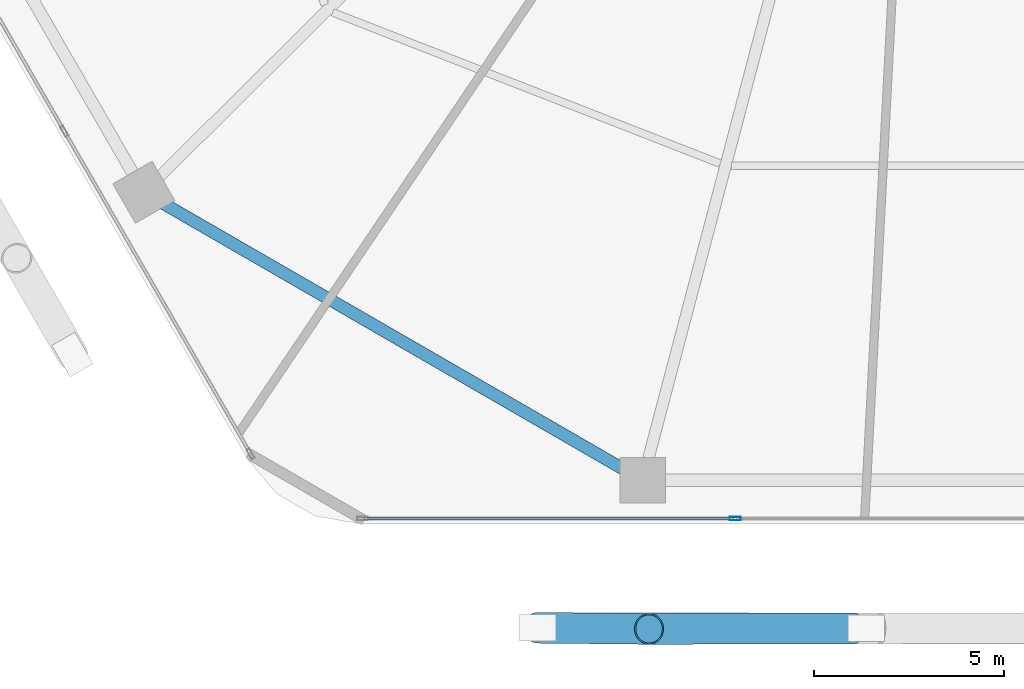
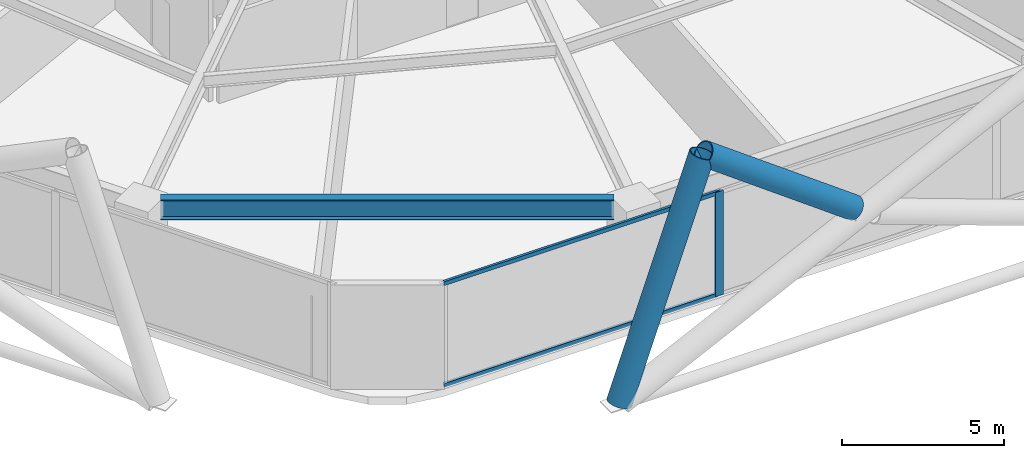
# One storey, part 3 of 29: 5 members, 1 beam, 1 element without a shape of its own.
"""IFC4 building model written with IfcOpenShell, lengths in metres."""

from ifc_helpers import new_model, si_unit, direction, frame, origin, origin_2d, place, context, subcontext, project, spatial, hollow_rectangle, hollow_circle, i_section, extrude, material, material_profile, profile_set, type_object, element, aggregate, save


model = new_model("IFC4")

# Units and contexts
model_context = context("Model", 3, precision=1e-05, world=origin(), true_north=direction((0.0, 1.0)))
body_context = subcontext(model_context, "Body", "Model", "MODEL_VIEW")
ifc_project = project(units=[si_unit("LENGTHUNIT", "METRE"), si_unit("AREAUNIT", "SQUARE_METRE"), si_unit("VOLUMEUNIT", "CUBIC_METRE"), si_unit("PLANEANGLEUNIT", "RADIAN"), si_unit("MASSUNIT", "GRAM", prefix="KILO")], contexts=[model_context])

# Site, building, storey
site_placement = place(None, origin())
site = spatial("IfcSite", under=ifc_project, at=site_placement, CompositionType="ELEMENT")
building_placement = place(site_placement, origin())
building = spatial("IfcBuilding", under=site, at=building_placement, Name="Zuhravey Tower", CompositionType="ELEMENT")
storey_placement = place(building_placement, frame((0.0, 0.0, 41.39990234375)))
storey = spatial("IfcBuildingStorey", under=building, at=storey_placement, Name="L10", CompositionType="ELEMENT", Elevation=41.39990234375)

# Curtain wall, members
ifc_material_1 = material(Name="Thermally broken anodised aluminium", Category="aluminium")
curtain_wall_type = type_object("IfcCurtainWallType", Name="School Low-E Unitised Curtain Wall CW1", PredefinedType="NOTDEFINED", material=ifc_material_1)
curtain_wall_placement = place(storey_placement, origin())
curtain_wall = element("IfcCurtainWall", 1, at=curtain_wall_placement, inside=storey, type_object=curtain_wall_type, Name="L10 CW1 CW-L10-F5-1", PredefinedType="NOTDEFINED")
ifc_material_2 = material(Name="Anodised aluminium", Category="aluminium")
ifc_material_profile_1 = material_profile(ifc_material_2, hollow_rectangle(XDim=0.090087890625, YDim=0.284912109375, WallThickness=0.0048828125, at=origin_2d()), Name="ALU-RHS-90x285x5")
ifc_profile_set_1 = profile_set([ifc_material_profile_1], Name="Anodised aluminium")
member_type_1 = type_object("IfcMemberType", Name="Curtain-Wall Mullion 90x180", PredefinedType="MULLION", material=ifc_profile_set_1)
member_1_placement = place(storey_placement, frame((31.06689453125, 3.04150390625, 0.0), z_axis=(0.0, 0.0, 1.0), x_axis=(0.0, -1.0, 0.0)))
member_1 = element("IfcMember", 2, at=member_1_placement, type_object=member_type_1, Name="CW1 mullion 3", PredefinedType="MULLION", context=body_context, shape_type="SweptSolid", body=[
    extrude(hollow_rectangle(XDim=0.090087890625, YDim=0.284912109375, WallThickness=0.0048828125, at=origin_2d()), origin(), (0.0, 0.0, 1.0), 3.920166015625),
])
ifc_material_profile_2 = material_profile(ifc_material_2, hollow_rectangle(XDim=0.090087890625, YDim=0.14990234375, WallThickness=0.0048828125, at=origin_2d()), Name="ALU-RHS-90x150x5")
ifc_profile_set_2 = profile_set([ifc_material_profile_2], Name="Anodised aluminium")
member_type_2 = type_object("IfcMemberType", Name="Curtain-Wall Transom 90x150", PredefinedType="USERDEFINED", material=ifc_profile_set_2)
member_2_placement = place(storey_placement, frame((31.021728515625, 3.04150390625, 0.045166015625), z_axis=(-1.0, 0.0, 0.0), x_axis=(0.0, -1.0, 0.0)))
member_2 = element("IfcMember", 3, at=member_2_placement, type_object=member_type_2, Name="CW1 transom 3.1", ObjectType="TRANSOM", PredefinedType="USERDEFINED", context=body_context, shape_type="SweptSolid", body=[
    extrude(hollow_rectangle(XDim=0.090087890625, YDim=0.14990234375, WallThickness=0.0048828125, at=origin_2d()), origin(), (0.0, 0.0, 1.0), 9.731201171875),
])
member_3_placement = place(storey_placement, frame((31.021728515625, 3.04150390625, 3.875), z_axis=(-1.0, 0.0, 0.0), x_axis=(0.0, -1.0, 0.0)))
member_3 = element("IfcMember", 4, at=member_3_placement, type_object=member_type_2, Name="CW1 transom 3.2", ObjectType="TRANSOM", PredefinedType="USERDEFINED", context=body_context, shape_type="SweptSolid", body=[
    extrude(hollow_rectangle(XDim=0.090087890625, YDim=0.14990234375, WallThickness=0.0048828125, at=origin_2d()), origin(), (0.0, 0.0, 1.0), 9.731201171875),
])
aggregate(curtain_wall, [member_1, member_2, member_3])

# Members
ifc_material_3 = material(Name="Steel SM460", Category="steel")
ifc_material_profile_3 = material_profile(ifc_material_3, hollow_circle(Radius=0.406494140625, WallThickness=0.035888671875, at=origin_2d()), Name="CHS-812.8x36")
ifc_profile_set_3 = profile_set([ifc_material_profile_3], Name="Steel SM460")
member_type_3 = type_object("IfcMemberType", Name="Exoskeleton Zone 1 Diagrid CHS813x36", PredefinedType="BRACE", material=ifc_profile_set_3)
member_4_placement = place(storey_placement, frame((25.870849609375, 0.161376953125, -0.471923828125), z_axis=(0.330640861788, -0.003364038457, 0.943750657622), x_axis=(0.010173770828, 0.999948245854, 0.0)))
element("IfcMember", 5, at=member_4_placement, inside=storey, type_object=member_type_3, Name="L10 Face 5 Diagrid Brace 1", PredefinedType="BRACE", context=body_context, shape_type="SweptSolid", body=[
    extrude(hollow_circle(Radius=0.406494140625, WallThickness=0.035888671875, at=origin_2d()), origin(), (0.0, 0.0, 1.0), 8.85400390625),
])
member_5_placement = place(storey_placement, frame((34.208740234375, 0.145751953125, 3.940673828125), z_axis=(-0.80616154542, -0.002128915432, 0.591691668359), x_axis=(0.002640795782, -0.999996513093, 0.0)))
element("IfcMember", 6, at=member_5_placement, inside=storey, type_object=member_type_3, Name="L10 Face 5 Split Diagrid Brace 3B", PredefinedType="BRACE", context=body_context, shape_type="SweptSolid", body=[
    extrude(hollow_circle(Radius=0.406494140625, WallThickness=0.035888671875, at=origin_2d()), origin(), (0.0, 0.0, 1.0), 6.6513671875),
])

# Beam
ifc_material_4 = material(Name="Steel SM355", Category="steel")
ifc_material_profile_4 = material_profile(ifc_material_4, i_section(OverallWidth=0.320068359375, OverallDepth=0.75, WebThickness=0.013916015625, FlangeThickness=0.02490234375, at=origin_2d()), Name="H-750x320x14x25")
ifc_profile_set_4 = profile_set([ifc_material_profile_4], Name="Steel SM355")
beam_type = type_object("IfcBeamType", Name="Perimeter Ring Beam H750x320", PredefinedType="BEAM", material=ifc_profile_set_4)
beam_placement = place(storey_placement, frame((16.003173828125, 11.341552734375, 3.545166015625), z_axis=(0.866029969761, -0.499992091414, 0.0), x_axis=(0.499992091414, 0.866029969761, 0.0)))
element("IfcBeam", 7, at=beam_placement, inside=storey, type_object=beam_type, Name="L10 PB1 BM-L10-PB-08", PredefinedType="BEAM", context=body_context, shape_type="SweptSolid", body=[
    extrude(i_section(OverallWidth=0.320068359375, OverallDepth=0.75, WebThickness=0.013916015625, FlangeThickness=0.02490234375, at=origin_2d()), origin(), (0.0, 0.0, 1.0), 13.977294921875),
])

save(model, "model.ifc")
